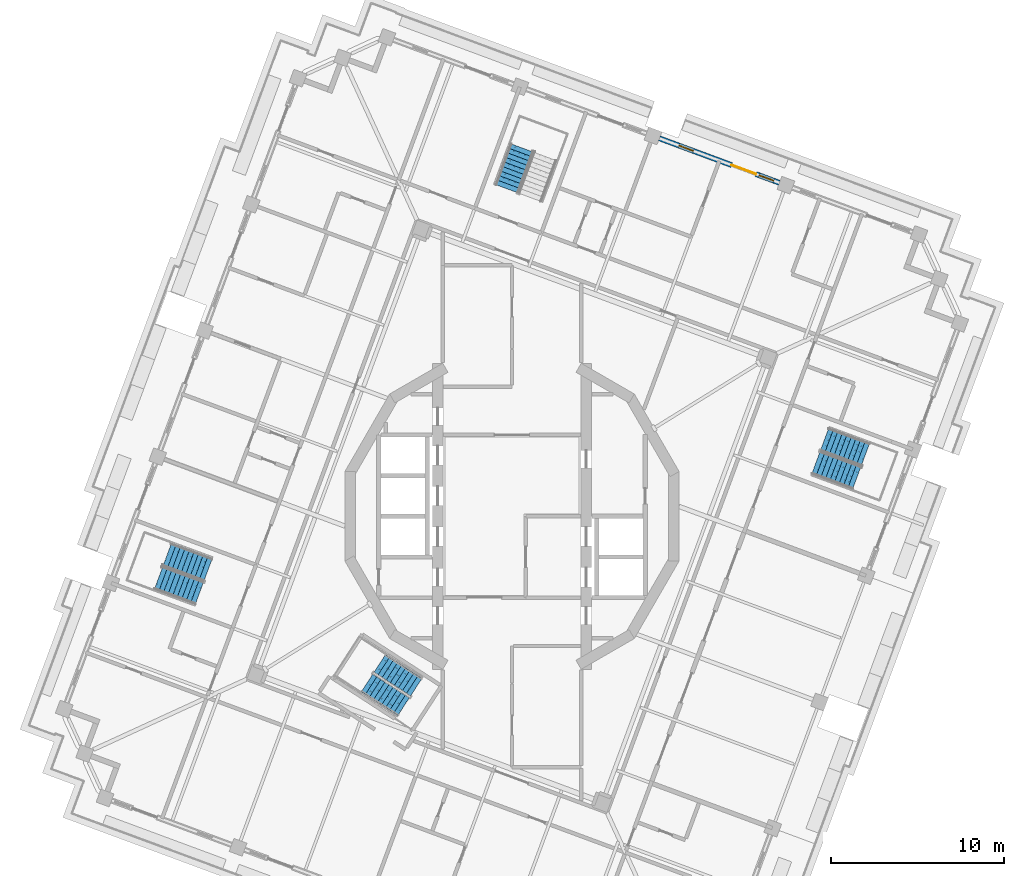
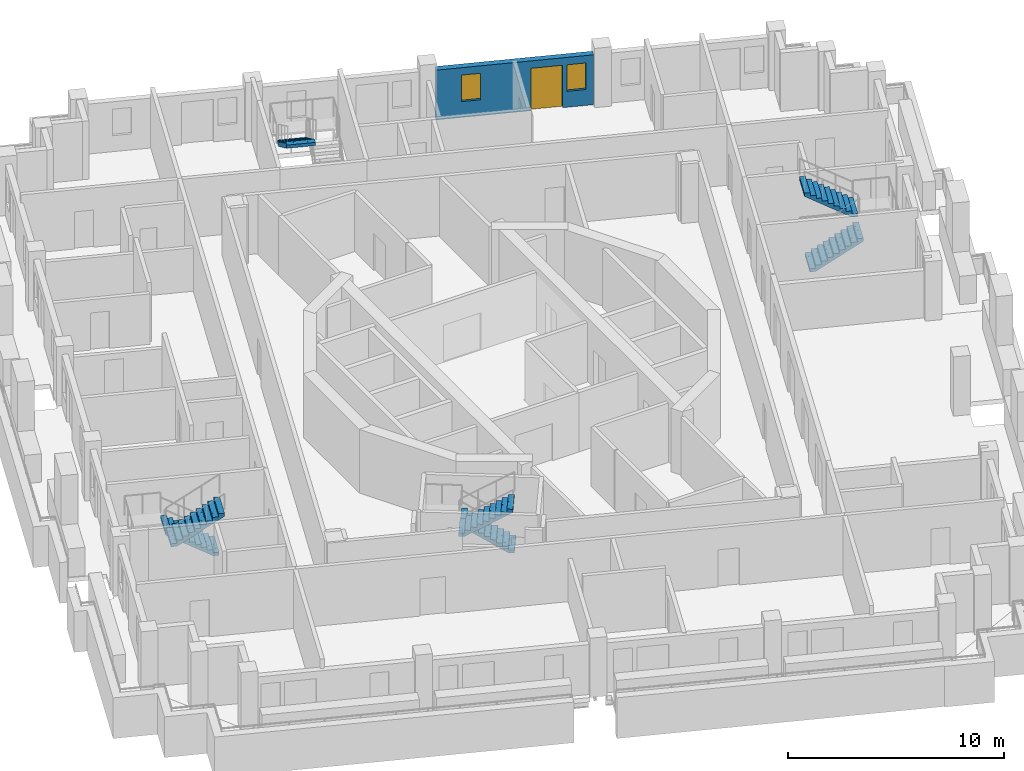
# One storey, part 10 of 19: 7 stair flights, 2 windows, 1 door, 1 wall, 3 openings, 4 elements without a shape of their own.
"""IFC4 building model written with IfcOpenShell, lengths in metres."""

import ifcopenshell
import ifcopenshell.guid

model = None  # the IFC model being written
_history = None  # IfcOwnerHistory: only IFC2X3 demands one
_inside = {}  # id of a spatial element -> (the spatial element, [elements in it])
_under = {}  # id of a project, library or spatial element -> (it, [spatial elements below it])
_declared = {}  # id of a project -> (the project, [libraries it declares])
_typed = {}  # id of a type object -> (the type object, [elements of that type])
_made_of = {}  # id of a material, layer set ... -> (it, [elements and type objects made of it])


def new_model(schema):
    """Start an empty IFC model of exactly this schema.

    Asked for "IFC4X3", IfcOpenShell would pick the latest addendum, in which some entities
    have other attributes; the version numbers below select the first issue.
    IFC2X3 requires an IfcOwnerHistory on every rooted entity: one is made here for all.
    """
    global model, _history
    if schema == "IFC4X3":
        model = ifcopenshell.file(schema_version=(4, 3, 0, 0))
    else:
        model = ifcopenshell.file(schema=schema)
    _inside.clear()
    _under.clear()
    _declared.clear()
    _typed.clear()
    _made_of.clear()
    _history = None
    if model.schema == "IFC2X3":
        org = make("IfcOrganization", Name="unknown")
        user = make(
            "IfcPersonAndOrganization",
            ThePerson=make("IfcPerson", FamilyName="unknown"),
            TheOrganization=org,
        )
        app = make(
            "IfcApplication",
            ApplicationDeveloper=org,
            Version="unknown",
            ApplicationFullName="unknown",
            ApplicationIdentifier="unknown",
        )
        _history = make(
            "IfcOwnerHistory",
            OwningUser=user,
            OwningApplication=app,
            ChangeAction="ADDED",
            CreationDate=0,
        )
    return model


def make(cls, **values):
    """One entity of the class cls with the attributes given. An attribute that is None is left unset."""
    return model.create_entity(
        cls, **{name: value for name, value in values.items() if value is not None}
    )


def rooted(cls, **values):
    """An entity with a GlobalId (a new one), such as an element, a storey or a relation."""
    return make(cls, GlobalId=ifcopenshell.guid.new(), OwnerHistory=_history, **values)


def si_unit(unit_type, name, prefix=None):
    """IfcSIUnit, for example si_unit("LENGTHUNIT", "METRE", prefix="MILLI")."""
    return make("IfcSIUnit", UnitType=unit_type, Prefix=prefix, Name=name)


def assignment(units):
    """IfcUnitAssignment: the units of a project."""
    return None if units is None else make("IfcUnitAssignment", Units=units)


def point(xyz):
    """IfcCartesianPoint."""
    return None if xyz is None else make("IfcCartesianPoint", Coordinates=xyz)


def direction(xyz):
    """IfcDirection."""
    return None if xyz is None else make("IfcDirection", DirectionRatios=xyz)


def frame(location, z_axis=None, x_axis=None):
    """IfcAxis2Placement3D, a coordinate frame: its origin and axes. An axis left out is left unset."""
    return make(
        "IfcAxis2Placement3D",
        Location=point(location),
        Axis=direction(z_axis),
        RefDirection=direction(x_axis),
    )


def frame_2d(location, x_axis=None):
    """IfcAxis2Placement2D, a coordinate frame in the plane: its origin and x axis."""
    return make(
        "IfcAxis2Placement2D", Location=point(location), RefDirection=direction(x_axis)
    )


def origin():
    """The frame at (0, 0, 0) with its axes left unset."""
    return frame((0.0, 0.0, 0.0))


def place(relative_to, where):
    """IfcLocalPlacement: puts the frame where relative to a parent placement (None: the world)."""
    return make(
        "IfcLocalPlacement", PlacementRelTo=relative_to, RelativePlacement=where
    )


def context(
    kind, dimensions, precision=None, world=None, true_north=None, identifier=None
):
    """IfcGeometricRepresentationContext, for example the 3D "Model" context."""
    return make(
        "IfcGeometricRepresentationContext",
        ContextIdentifier=identifier,
        ContextType=kind,
        CoordinateSpaceDimension=dimensions,
        Precision=precision,
        WorldCoordinateSystem=world,
        TrueNorth=true_north,
    )


def subcontext(parent, identifier, kind, view, scale=None):
    """IfcGeometricRepresentationSubContext, for example "Body" below "Model"."""
    return make(
        "IfcGeometricRepresentationSubContext",
        ContextIdentifier=identifier,
        ContextType=kind,
        ParentContext=parent,
        TargetScale=scale,
        TargetView=view,
    )


def project(units=None, contexts=None):
    """IfcProject with its units and contexts."""
    return rooted(
        "IfcProject",
        Name="project",
        RepresentationContexts=contexts,
        UnitsInContext=assignment(units),
    )


def spatial(cls, under=None, at=None, **own):
    """A site, building, storey or space (cls), placed at a placement, below another one or the project."""
    s = rooted(cls, ObjectPlacement=at, **own)
    if under is not None:
        _under.setdefault(under.id(), (under, []))[1].append(s)
    return s


def polyline(points):
    """IfcPolyline through the points."""
    return make("IfcPolyline", Points=[point(p) for p in points])


def profile(cls, at=None, kind="AREA", **sizes):
    """A parametric profile (cls). Its sizes go by their IFC names, for example OverallWidth=200.0."""
    return make(cls, ProfileType=kind, Position=at, **sizes)


def rectangle(**sizes):
    """IfcRectangleProfileDef."""
    return profile("IfcRectangleProfileDef", **sizes)


def outline(outer, holes=None, kind="AREA"):
    """IfcArbitraryClosedProfileDef: a profile drawn as a closed curve; with holes, ...WithVoids."""
    if holes is None:
        return make("IfcArbitraryClosedProfileDef", ProfileType=kind, OuterCurve=outer)
    return make(
        "IfcArbitraryProfileDefWithVoids",
        ProfileType=kind,
        OuterCurve=outer,
        InnerCurves=holes,
    )


def extrude(swept, where, along, depth):
    """IfcExtrudedAreaSolid: the profile swept, set in the frame where, extruded along a direction by depth."""
    return make(
        "IfcExtrudedAreaSolid",
        SweptArea=swept,
        Position=where,
        ExtrudedDirection=direction(along),
        Depth=depth,
    )


def shape(context_of_items, identifier, shape_type, items):
    """IfcShapeRepresentation: the items that make up one representation, for example the "Body"."""
    return make(
        "IfcShapeRepresentation",
        ContextOfItems=context_of_items,
        RepresentationIdentifier=identifier,
        RepresentationType=shape_type,
        Items=items,
    )


def material(Name=None, Category=None):
    """IfcMaterial."""
    return make("IfcMaterial", Name=Name, Category=Category)


def layer(
    of_material, thickness, ventilated=None, Name=None, Category=None, Priority=None
):
    """IfcMaterialLayer: one layer of a wall or slab, of a material (None: an air gap)."""
    return make(
        "IfcMaterialLayer",
        Material=of_material,
        LayerThickness=thickness,
        IsVentilated=ventilated,
        Name=Name,
        Category=Category,
        Priority=Priority,
    )


def layer_set(layers, Name=None):
    """IfcMaterialLayerSet."""
    return make("IfcMaterialLayerSet", MaterialLayers=layers, LayerSetName=Name)


def made_of(thing, what):
    """Note that an element or type object is made of a material, layer set ...; save() writes the relation."""
    if what is not None:
        _made_of.setdefault(what.id(), (what, []))[1].append(thing)
    return thing


def type_object(cls, material=None, **own):
    """A type object (cls), such as IfcWallType, which elements share."""
    return made_of(rooted(cls, **own), material)


def element(
    cls,
    number,
    at=None,
    inside=None,
    cuts=None,
    type_object=None,
    material=None,
    context=None,
    identifier="Body",
    shape_type=None,
    held_by="IfcProductDefinitionShape",
    body=None,
    shapes=None,
    **own,
):
    """One element of the class cls, such as IfcWall. Its Tag is "e" and its number.

    at: its placement. inside: the storey or other place that contains it. cuts: it is an
    opening in that element (IfcRelVoidsElement). A single representation is given by context,
    identifier, shape_type and body (its items); several are given by shapes. held_by: the class
    of the entity that holds the representations. save() writes the other relations.
    """
    e = rooted(cls, Tag="e%d" % number, ObjectPlacement=at, **own)
    if body is not None:
        shapes = [shape(context, identifier, shape_type, body)]
    if shapes is not None:
        e.Representation = make(held_by, Representations=shapes)
    if inside is not None:
        _inside.setdefault(inside.id(), (inside, []))[1].append(e)
    if cuts is not None:
        rooted(
            "IfcRelVoidsElement", RelatingBuildingElement=cuts, RelatedOpeningElement=e
        )
    if type_object is not None:
        _typed.setdefault(type_object.id(), (type_object, []))[1].append(e)
    return made_of(e, material)


def fill(opening, filler):
    """IfcRelFillsElement: the door or window that sits in an opening."""
    return rooted(
        "IfcRelFillsElement",
        RelatingOpeningElement=opening,
        RelatedBuildingElement=filler,
    )


def aggregate(whole, parts):
    """IfcRelAggregates: a whole, such as a stair, and the parts it consists of."""
    return rooted("IfcRelAggregates", RelatingObject=whole, RelatedObjects=parts)


def save(model, path):
    """Write the relations noted so far, then the file.

    IfcRelAggregates (storeys below a building ...), IfcRelContainedInSpatialStructure (elements
    in a storey), IfcRelDefinesByType, IfcRelAssociatesMaterial and IfcRelDeclares: one each for
    every whole, place, type object, material and project.
    """
    for whole, parts in _under.values():
        aggregate(whole, parts)
    for where, things in _inside.values():
        rooted(
            "IfcRelContainedInSpatialStructure",
            RelatedElements=things,
            RelatingStructure=where,
        )
    for kind, things in _typed.values():
        rooted("IfcRelDefinesByType", RelatedObjects=things, RelatingType=kind)
    for what, things in _made_of.values():
        rooted("IfcRelAssociatesMaterial", RelatedObjects=things, RelatingMaterial=what)
    for by, libraries in _declared.values():
        rooted("IfcRelDeclares", RelatingContext=by, RelatedDefinitions=libraries)
    model.write(path)


model = new_model("IFC4")

# Units and contexts
model_context = context("Model", 3, precision=1e-05, world=origin(), true_north=direction((0.0, 1.0)))
body_context = subcontext(model_context, "Body", "Model", "MODEL_VIEW")
ifc_project = project(units=[si_unit("LENGTHUNIT", "METRE"), si_unit("AREAUNIT", "SQUARE_METRE"), si_unit("VOLUMEUNIT", "CUBIC_METRE"), si_unit("PLANEANGLEUNIT", "RADIAN"), si_unit("MASSUNIT", "GRAM", prefix="KILO")], contexts=[model_context])

# Site, building, storey
site_placement = place(None, origin())
site = spatial("IfcSite", under=ifc_project, at=site_placement, CompositionType="ELEMENT")
building_placement = place(site_placement, origin())
building = spatial("IfcBuilding", under=site, at=building_placement, Name="Cantera Rosa Tower", CompositionType="ELEMENT")
storey_placement = place(building_placement, frame((0.0, 0.0, 327.699951171875)))
storey = spatial("IfcBuildingStorey", under=building, at=storey_placement, Name="L73", CompositionType="ELEMENT", Elevation=327.699951171875)

# Wall, openings, windows, door
ifc_material_1 = material(Name="Hollow clay masonry with cantera stone cladding", Category="masonry")
ifc_layer = layer(ifc_material_1, 0.300048828125)
ifc_layer_set = layer_set([ifc_layer], Name="EW-LOGGIA 300 H2820")
wall_type = type_object("IfcWallType", Name="EW-LOGGIA 300 H2820", PredefinedType="SOLIDWALL", material=ifc_layer_set)
wall_placement = place(storey_placement, frame((15.46240234375, 19.2783203125, 0.0), z_axis=(0.0, 0.0, 1.0), x_axis=(-0.937680690562, 0.34749808999, 0.0)))
wall = element("IfcWall", 1, at=wall_placement, inside=storey, type_object=wall_type, Name="EN-L73-W02", PredefinedType="SOLIDWALL", context=body_context, shape_type="SweptSolid", body=[
    extrude(rectangle(XDim=7.400146484375, YDim=0.300048828125, at=frame_2d((3.7001953125, 0.0))), origin(), (0.0, 0.0, 1.0), 2.820068359375),
])
opening_1_placement = place(wall_placement, frame((0.35009765625, 0.0, 0.89990234375)))
opening_1 = element("IfcOpeningElement", 2, at=opening_1_placement, cuts=wall, Name="Opening L73-W04", PredefinedType="OPENING", context=body_context, shape_type="SweptSolid", body=[
    extrude(rectangle(XDim=0.89990234375, YDim=1.5, at=frame_2d((0.449951171875, 0.75))), frame((0.0, 0.159912109375, 0.0), z_axis=(0.0, -1.0, 0.0), x_axis=(1.0, 0.0, 0.0)), (0.0, 0.0, 1.0), 0.320068359375),
])
opening_2_placement = place(wall_placement, frame((1.449951171875, 0.0, 0.0)))
opening_2 = element("IfcOpeningElement", 3, at=opening_2_placement, cuts=wall, Name="Opening L73-TD05", PredefinedType="OPENING", context=body_context, shape_type="SweptSolid", body=[
    extrude(rectangle(XDim=1.5, YDim=2.39990234375, at=frame_2d((0.75, 1.199951171875))), frame((0.0, 0.159912109375, 0.0), z_axis=(0.0, -1.0, 0.0), x_axis=(1.0, 0.0, 0.0)), (0.0, 0.0, 1.0), 0.320068359375),
])
opening_3_placement = place(wall_placement, frame((5.300048828125, 0.0, 0.89990234375)))
opening_3 = element("IfcOpeningElement", 4, at=opening_3_placement, cuts=wall, Name="Opening L73-W06", PredefinedType="OPENING", context=body_context, shape_type="SweptSolid", body=[
    extrude(rectangle(XDim=0.89990234375, YDim=1.5, at=frame_2d((0.449951171875, 0.75))), frame((0.0, 0.159912109375, 0.0), z_axis=(0.0, -1.0, 0.0), x_axis=(1.0, 0.0, 0.0)), (0.0, 0.0, 1.0), 0.320068359375),
])
ifc_material_2 = material(Name="Aluminium frame with clear glass", Category="aluminium")
window_type = type_object("IfcWindowType", Name="Residential window 900x1500", PartitioningType="SINGLE_PANEL", PredefinedType="WINDOW", material=ifc_material_2)
window_1_placement = place(opening_1_placement, origin())
window_1 = element("IfcWindow", 5, at=window_1_placement, inside=storey, type_object=window_type, Name="WINDOW L73-W04", OverallHeight=1.5, OverallWidth=0.89990234375, PartitioningType="SINGLE_PANEL", PredefinedType="WINDOW", context=body_context, shape_type="SweptSolid", body=[
    extrude(rectangle(XDim=0.89990234375, YDim=1.5, at=frame_2d((0.449951171875, 0.75))), frame((0.0, 0.030029296875, 0.0), z_axis=(0.0, -1.0, 0.0), x_axis=(1.0, 0.0, 0.0)), (0.0, 0.0, 1.0), 0.06005859375),
])
fill(opening_1, window_1)
window_2_placement = place(opening_3_placement, origin())
window_2 = element("IfcWindow", 6, at=window_2_placement, inside=storey, type_object=window_type, Name="WINDOW L73-W06", OverallHeight=1.5, OverallWidth=0.89990234375, PartitioningType="SINGLE_PANEL", PredefinedType="WINDOW", context=body_context, shape_type="SweptSolid", body=[
    extrude(rectangle(XDim=0.89990234375, YDim=1.5, at=frame_2d((0.449951171875, 0.75))), frame((0.0, 0.030029296875, 0.0), z_axis=(0.0, -1.0, 0.0), x_axis=(1.0, 0.0, 0.0)), (0.0, 0.0, 1.0), 0.06005859375),
])
fill(opening_3, window_2)
ifc_material_3 = material(Name="Aluminium frame with clear glass", Category="aluminium")
door_type = type_object("IfcDoorType", Name="TD-R 1500x2400", OperationType="NOTDEFINED", PredefinedType="DOOR", material=ifc_material_3)
door_placement = place(opening_2_placement, origin())
door = element("IfcDoor", 7, at=door_placement, inside=storey, type_object=door_type, Name="LOGGIA DOOR L73-TD05", OperationType="SLIDING_TO_LEFT", OverallHeight=2.39990234375, OverallWidth=1.5, PredefinedType="DOOR", context=body_context, shape_type="SweptSolid", body=[
    extrude(rectangle(XDim=1.5, YDim=2.39990234375, at=frame_2d((0.75, 1.199951171875))), frame((0.0, 0.02490234375, 0.0), z_axis=(0.0, -1.0, 0.0), x_axis=(1.0, 0.0, 0.0)), (0.0, 0.0, 1.0), 0.050048828125),
])
fill(opening_2, door)

# Stair, stair flights
ifc_material_4 = material(Name="Concrete C35/45", Category="concrete")
stair_type_1 = type_object("IfcStairType", Name="EXIT STAIR 1200 DOGLEG", PredefinedType="HALF_TURN_STAIR", material=ifc_material_4)
stair_1_placement = place(storey_placement, origin())
stair_1 = element("IfcStair", 8, at=stair_1_placement, inside=storey, type_object=stair_type_1, Name="L73 ST-64", PredefinedType="HALF_TURN_STAIR")
ifc_material_5 = material(Name="Concrete C35/45", Category="concrete")
stair_flight_type_1 = type_object("IfcStairFlightType", Name="STAIR FLIGHT 1200 R20x180", PredefinedType="STRAIGHT", material=ifc_material_5)
stair_flight_1_placement = place(storey_placement, frame((-5.532470703125, -9.878173828125, 0.0), z_axis=(0.0, 0.0, 1.0), x_axis=(-0.838670567945, 0.544639035015, 0.0)))
stair_flight_1 = element("IfcStairFlight", 9, at=stair_flight_1_placement, type_object=stair_flight_type_1, Name="ST-64 flight 1", NumberOfRisers=10, NumberOfTreads=9, PredefinedType="STRAIGHT", RiserHeight=0.18, TreadLength=0.28, context=body_context, shape_type="SweptSolid", body=[
    extrude(outline(polyline([(0.0, 0.0), (0.0, 0.179931640625), (0.280029296875, 0.179931640625), (0.280029296875, 0.360107421875), (0.56005859375, 0.360107421875), (0.56005859375, 0.5400390625), (0.840087890625, 0.5400390625), (0.840087890625, 0.719970703125), (1.1201171875, 0.719970703125), (1.1201171875, 0.89990234375), (1.39990234375, 0.89990234375), (1.39990234375, 1.080078125), (1.679931640625, 1.080078125), (1.679931640625, 1.260009765625), (1.9599609375, 1.260009765625), (1.9599609375, 1.43994140625), (2.239990234375, 1.43994140625), (2.239990234375, 1.6201171875), (2.52001953125, 1.6201171875), (2.52001953125, 1.800048828125), (2.52001953125, 1.44189453125), (0.277099609375, 0.0), (0.0, 0.0)])), frame((0.0, 0.60009765625, 0.0), z_axis=(0.0, -1.0, 0.0), x_axis=(1.0, 0.0, 0.0)), (0.0, 0.0, 1.0), 0.298583984375),
    extrude(outline(polyline([(0.0, 0.0), (0.0, 0.179931640625), (0.280029296875, 0.179931640625), (0.280029296875, 0.360107421875), (0.56005859375, 0.360107421875), (0.56005859375, 0.5400390625), (0.840087890625, 0.5400390625), (0.840087890625, 0.719970703125), (1.1201171875, 0.719970703125), (1.1201171875, 0.89990234375), (1.39990234375, 0.89990234375), (1.39990234375, 1.080078125), (1.679931640625, 1.080078125), (1.679931640625, 1.260009765625), (1.9599609375, 1.260009765625), (1.9599609375, 1.43994140625), (2.239990234375, 1.43994140625), (2.239990234375, 1.6201171875), (2.52001953125, 1.6201171875), (2.52001953125, 1.800048828125), (2.52001953125, 1.44189453125), (0.277099609375, 0.0), (0.0, 0.0)])), frame((0.0, 0.29931640625, 0.0), z_axis=(0.0, -1.0, 0.0), x_axis=(1.0, 0.0, 0.0)), (0.0, 0.0, 1.0), 0.298583984375),
    extrude(outline(polyline([(0.0, 0.0), (0.0, 0.179931640625), (0.280029296875, 0.179931640625), (0.280029296875, 0.360107421875), (0.56005859375, 0.360107421875), (0.56005859375, 0.5400390625), (0.840087890625, 0.5400390625), (0.840087890625, 0.719970703125), (1.1201171875, 0.719970703125), (1.1201171875, 0.89990234375), (1.39990234375, 0.89990234375), (1.39990234375, 1.080078125), (1.679931640625, 1.080078125), (1.679931640625, 1.260009765625), (1.9599609375, 1.260009765625), (1.9599609375, 1.43994140625), (2.239990234375, 1.43994140625), (2.239990234375, 1.6201171875), (2.52001953125, 1.6201171875), (2.52001953125, 1.800048828125), (2.52001953125, 1.44189453125), (0.277099609375, 0.0), (0.0, 0.0)])), frame((0.0, -0.0009765625, 0.0), z_axis=(0.0, -1.0, 0.0), x_axis=(1.0, 0.0, 0.0)), (0.0, 0.0, 1.0), 0.298583984375),
    extrude(outline(polyline([(0.0, 0.0), (0.0, 0.179931640625), (0.280029296875, 0.179931640625), (0.280029296875, 0.360107421875), (0.56005859375, 0.360107421875), (0.56005859375, 0.5400390625), (0.840087890625, 0.5400390625), (0.840087890625, 0.719970703125), (1.1201171875, 0.719970703125), (1.1201171875, 0.89990234375), (1.39990234375, 0.89990234375), (1.39990234375, 1.080078125), (1.679931640625, 1.080078125), (1.679931640625, 1.260009765625), (1.9599609375, 1.260009765625), (1.9599609375, 1.43994140625), (2.239990234375, 1.43994140625), (2.239990234375, 1.6201171875), (2.52001953125, 1.6201171875), (2.52001953125, 1.800048828125), (2.52001953125, 1.44189453125), (0.277099609375, 0.0), (0.0, 0.0)])), frame((0.0, -0.3017578125, 0.0), z_axis=(0.0, -1.0, 0.0), x_axis=(1.0, 0.0, 0.0)), (0.0, 0.0, 1.0), 0.298583984375),
])
stair_flight_2_placement = place(storey_placement, frame((-8.381103515625, -9.6376953125, 1.800048828125), z_axis=(0.0, 0.0, 1.0), x_axis=(0.838670567945, -0.544639035015, 0.0)))
stair_flight_2 = element("IfcStairFlight", 10, at=stair_flight_2_placement, type_object=stair_flight_type_1, Name="ST-64 flight 2", NumberOfRisers=10, NumberOfTreads=9, PredefinedType="STRAIGHT", RiserHeight=0.18, TreadLength=0.28, context=body_context, shape_type="SweptSolid", body=[
    extrude(outline(polyline([(0.0, 0.0), (0.0, 0.179931640625), (0.280029296875, 0.179931640625), (0.280029296875, 0.360107421875), (0.56005859375, 0.360107421875), (0.56005859375, 0.5400390625), (0.840087890625, 0.5400390625), (0.840087890625, 0.719970703125), (1.1201171875, 0.719970703125), (1.1201171875, 0.89990234375), (1.39990234375, 0.89990234375), (1.39990234375, 1.080078125), (1.679931640625, 1.080078125), (1.679931640625, 1.260009765625), (1.9599609375, 1.260009765625), (1.9599609375, 1.43994140625), (2.239990234375, 1.43994140625), (2.239990234375, 1.6201171875), (2.52001953125, 1.6201171875), (2.52001953125, 1.800048828125), (2.52001953125, 1.44189453125), (0.277099609375, 0.0), (0.0, 0.0)])), frame((0.0, 0.60009765625, 0.0), z_axis=(0.0, -1.0, 0.0), x_axis=(1.0, 0.0, 0.0)), (0.0, 0.0, 1.0), 0.298583984375),
    extrude(outline(polyline([(0.0, 0.0), (0.0, 0.179931640625), (0.280029296875, 0.179931640625), (0.280029296875, 0.360107421875), (0.56005859375, 0.360107421875), (0.56005859375, 0.5400390625), (0.840087890625, 0.5400390625), (0.840087890625, 0.719970703125), (1.1201171875, 0.719970703125), (1.1201171875, 0.89990234375), (1.39990234375, 0.89990234375), (1.39990234375, 1.080078125), (1.679931640625, 1.080078125), (1.679931640625, 1.260009765625), (1.9599609375, 1.260009765625), (1.9599609375, 1.43994140625), (2.239990234375, 1.43994140625), (2.239990234375, 1.6201171875), (2.52001953125, 1.6201171875), (2.52001953125, 1.800048828125), (2.52001953125, 1.44189453125), (0.277099609375, 0.0), (0.0, 0.0)])), frame((0.0, 0.29931640625, 0.0), z_axis=(0.0, -1.0, 0.0), x_axis=(1.0, 0.0, 0.0)), (0.0, 0.0, 1.0), 0.298583984375),
    extrude(outline(polyline([(0.0, 0.0), (0.0, 0.179931640625), (0.280029296875, 0.179931640625), (0.280029296875, 0.360107421875), (0.56005859375, 0.360107421875), (0.56005859375, 0.5400390625), (0.840087890625, 0.5400390625), (0.840087890625, 0.719970703125), (1.1201171875, 0.719970703125), (1.1201171875, 0.89990234375), (1.39990234375, 0.89990234375), (1.39990234375, 1.080078125), (1.679931640625, 1.080078125), (1.679931640625, 1.260009765625), (1.9599609375, 1.260009765625), (1.9599609375, 1.43994140625), (2.239990234375, 1.43994140625), (2.239990234375, 1.6201171875), (2.52001953125, 1.6201171875), (2.52001953125, 1.800048828125), (2.52001953125, 1.44189453125), (0.277099609375, 0.0), (0.0, 0.0)])), frame((0.0, -0.0009765625, 0.0), z_axis=(0.0, -1.0, 0.0), x_axis=(1.0, 0.0, 0.0)), (0.0, 0.0, 1.0), 0.298583984375),
    extrude(outline(polyline([(0.0, 0.0), (0.0, 0.179931640625), (0.280029296875, 0.179931640625), (0.280029296875, 0.360107421875), (0.56005859375, 0.360107421875), (0.56005859375, 0.5400390625), (0.840087890625, 0.5400390625), (0.840087890625, 0.719970703125), (1.1201171875, 0.719970703125), (1.1201171875, 0.89990234375), (1.39990234375, 0.89990234375), (1.39990234375, 1.080078125), (1.679931640625, 1.080078125), (1.679931640625, 1.260009765625), (1.9599609375, 1.260009765625), (1.9599609375, 1.43994140625), (2.239990234375, 1.43994140625), (2.239990234375, 1.6201171875), (2.52001953125, 1.6201171875), (2.52001953125, 1.800048828125), (2.52001953125, 1.44189453125), (0.277099609375, 0.0), (0.0, 0.0)])), frame((0.0, -0.3017578125, 0.0), z_axis=(0.0, -1.0, 0.0), x_axis=(1.0, 0.0, 0.0)), (0.0, 0.0, 1.0), 0.298583984375),
])
aggregate(stair_1, [stair_flight_1, stair_flight_2])

ifc_material_6 = material(Name="Concrete C35/45", Category="concrete")
stair_type_2 = type_object("IfcStairType", Name="EXIT STAIR 1350 DOGLEG", PredefinedType="HALF_TURN_STAIR", material=ifc_material_6)
stair_2_placement = place(storey_placement, origin())
stair_2 = element("IfcStair", 11, at=stair_2_placement, inside=storey, type_object=stair_type_2, Name="L73 ST-61", PredefinedType="HALF_TURN_STAIR")
ifc_material_7 = material(Name="Concrete C35/45", Category="concrete")
stair_flight_type_2 = type_object("IfcStairFlightType", Name="STAIR FLIGHT 1350 R20x180", PredefinedType="STRAIGHT", material=ifc_material_7)
stair_flight_3_placement = place(storey_placement, frame((17.55908203125, 3.064453125, 0.0), z_axis=(0.0, 0.0, 1.0), x_axis=(0.937686938944, -0.347481229039, 0.0)))
stair_flight_3 = element("IfcStairFlight", 12, at=stair_flight_3_placement, type_object=stair_flight_type_2, Name="ST-61 flight 1", NumberOfRisers=10, NumberOfTreads=9, PredefinedType="STRAIGHT", RiserHeight=0.18, TreadLength=0.28, context=body_context, shape_type="SweptSolid", body=[
    extrude(outline(polyline([(0.0, 0.0), (0.0, 0.179931640625), (0.280029296875, 0.179931640625), (0.280029296875, 0.360107421875), (0.56005859375, 0.360107421875), (0.56005859375, 0.5400390625), (0.840087890625, 0.5400390625), (0.840087890625, 0.719970703125), (1.1201171875, 0.719970703125), (1.1201171875, 0.89990234375), (1.39990234375, 0.89990234375), (1.39990234375, 1.080078125), (1.679931640625, 1.080078125), (1.679931640625, 1.260009765625), (1.9599609375, 1.260009765625), (1.9599609375, 1.43994140625), (2.239990234375, 1.43994140625), (2.239990234375, 1.6201171875), (2.52001953125, 1.6201171875), (2.52001953125, 1.800048828125), (2.52001953125, 1.44189453125), (0.277099609375, 0.0), (0.0, 0.0)])), frame((0.0, 0.675048828125, 0.0), z_axis=(0.0, -1.0, 0.0), x_axis=(1.0, 0.0, 0.0)), (0.0, 0.0, 1.0), 0.3359375),
    extrude(outline(polyline([(0.0, 0.0), (0.0, 0.179931640625), (0.280029296875, 0.179931640625), (0.280029296875, 0.360107421875), (0.56005859375, 0.360107421875), (0.56005859375, 0.5400390625), (0.840087890625, 0.5400390625), (0.840087890625, 0.719970703125), (1.1201171875, 0.719970703125), (1.1201171875, 0.89990234375), (1.39990234375, 0.89990234375), (1.39990234375, 1.080078125), (1.679931640625, 1.080078125), (1.679931640625, 1.260009765625), (1.9599609375, 1.260009765625), (1.9599609375, 1.43994140625), (2.239990234375, 1.43994140625), (2.239990234375, 1.6201171875), (2.52001953125, 1.6201171875), (2.52001953125, 1.800048828125), (2.52001953125, 1.44189453125), (0.277099609375, 0.0), (0.0, 0.0)])), frame((0.0, 0.337158203125, 0.0), z_axis=(0.0, -1.0, 0.0), x_axis=(1.0, 0.0, 0.0)), (0.0, 0.0, 1.0), 0.3359375),
    extrude(outline(polyline([(0.0, 0.0), (0.0, 0.179931640625), (0.280029296875, 0.179931640625), (0.280029296875, 0.360107421875), (0.56005859375, 0.360107421875), (0.56005859375, 0.5400390625), (0.840087890625, 0.5400390625), (0.840087890625, 0.719970703125), (1.1201171875, 0.719970703125), (1.1201171875, 0.89990234375), (1.39990234375, 0.89990234375), (1.39990234375, 1.080078125), (1.679931640625, 1.080078125), (1.679931640625, 1.260009765625), (1.9599609375, 1.260009765625), (1.9599609375, 1.43994140625), (2.239990234375, 1.43994140625), (2.239990234375, 1.6201171875), (2.52001953125, 1.6201171875), (2.52001953125, 1.800048828125), (2.52001953125, 1.44189453125), (0.277099609375, 0.0), (0.0, 0.0)])), frame((0.0, -0.000732421875, 0.0), z_axis=(0.0, -1.0, 0.0), x_axis=(1.0, 0.0, 0.0)), (0.0, 0.0, 1.0), 0.3359375),
    extrude(outline(polyline([(0.0, 0.0), (0.0, 0.179931640625), (0.280029296875, 0.179931640625), (0.280029296875, 0.360107421875), (0.56005859375, 0.360107421875), (0.56005859375, 0.5400390625), (0.840087890625, 0.5400390625), (0.840087890625, 0.719970703125), (1.1201171875, 0.719970703125), (1.1201171875, 0.89990234375), (1.39990234375, 0.89990234375), (1.39990234375, 1.080078125), (1.679931640625, 1.080078125), (1.679931640625, 1.260009765625), (1.9599609375, 1.260009765625), (1.9599609375, 1.43994140625), (2.239990234375, 1.43994140625), (2.239990234375, 1.6201171875), (2.52001953125, 1.6201171875), (2.52001953125, 1.800048828125), (2.52001953125, 1.44189453125), (0.277099609375, 0.0), (0.0, 0.0)])), frame((0.0, -0.338623046875, 0.0), z_axis=(0.0, -1.0, 0.0), x_axis=(1.0, 0.0, 0.0)), (0.0, 0.0, 1.0), 0.3359375),
])
stair_flight_4_placement = place(storey_placement, frame((20.443115234375, 3.595458984375, 1.800048828125), z_axis=(0.0, 0.0, 1.0), x_axis=(-0.937686938944, 0.347481229039, 0.0)))
stair_flight_4 = element("IfcStairFlight", 13, at=stair_flight_4_placement, type_object=stair_flight_type_2, Name="ST-61 flight 2", NumberOfRisers=10, NumberOfTreads=9, PredefinedType="STRAIGHT", RiserHeight=0.18, TreadLength=0.28, context=body_context, shape_type="SweptSolid", body=[
    extrude(outline(polyline([(0.0, 0.0), (0.0, 0.179931640625), (0.280029296875, 0.179931640625), (0.280029296875, 0.360107421875), (0.56005859375, 0.360107421875), (0.56005859375, 0.5400390625), (0.840087890625, 0.5400390625), (0.840087890625, 0.719970703125), (1.1201171875, 0.719970703125), (1.1201171875, 0.89990234375), (1.39990234375, 0.89990234375), (1.39990234375, 1.080078125), (1.679931640625, 1.080078125), (1.679931640625, 1.260009765625), (1.9599609375, 1.260009765625), (1.9599609375, 1.43994140625), (2.239990234375, 1.43994140625), (2.239990234375, 1.6201171875), (2.52001953125, 1.6201171875), (2.52001953125, 1.800048828125), (2.52001953125, 1.44189453125), (0.277099609375, 0.0), (0.0, 0.0)])), frame((0.0, 0.675048828125, 0.0), z_axis=(0.0, -1.0, 0.0), x_axis=(1.0, 0.0, 0.0)), (0.0, 0.0, 1.0), 0.3359375),
    extrude(outline(polyline([(0.0, 0.0), (0.0, 0.179931640625), (0.280029296875, 0.179931640625), (0.280029296875, 0.360107421875), (0.56005859375, 0.360107421875), (0.56005859375, 0.5400390625), (0.840087890625, 0.5400390625), (0.840087890625, 0.719970703125), (1.1201171875, 0.719970703125), (1.1201171875, 0.89990234375), (1.39990234375, 0.89990234375), (1.39990234375, 1.080078125), (1.679931640625, 1.080078125), (1.679931640625, 1.260009765625), (1.9599609375, 1.260009765625), (1.9599609375, 1.43994140625), (2.239990234375, 1.43994140625), (2.239990234375, 1.6201171875), (2.52001953125, 1.6201171875), (2.52001953125, 1.800048828125), (2.52001953125, 1.44189453125), (0.277099609375, 0.0), (0.0, 0.0)])), frame((0.0, 0.337158203125, 0.0), z_axis=(0.0, -1.0, 0.0), x_axis=(1.0, 0.0, 0.0)), (0.0, 0.0, 1.0), 0.3359375),
    extrude(outline(polyline([(0.0, 0.0), (0.0, 0.179931640625), (0.280029296875, 0.179931640625), (0.280029296875, 0.360107421875), (0.56005859375, 0.360107421875), (0.56005859375, 0.5400390625), (0.840087890625, 0.5400390625), (0.840087890625, 0.719970703125), (1.1201171875, 0.719970703125), (1.1201171875, 0.89990234375), (1.39990234375, 0.89990234375), (1.39990234375, 1.080078125), (1.679931640625, 1.080078125), (1.679931640625, 1.260009765625), (1.9599609375, 1.260009765625), (1.9599609375, 1.43994140625), (2.239990234375, 1.43994140625), (2.239990234375, 1.6201171875), (2.52001953125, 1.6201171875), (2.52001953125, 1.800048828125), (2.52001953125, 1.44189453125), (0.277099609375, 0.0), (0.0, 0.0)])), frame((0.0, -0.000732421875, 0.0), z_axis=(0.0, -1.0, 0.0), x_axis=(1.0, 0.0, 0.0)), (0.0, 0.0, 1.0), 0.3359375),
    extrude(outline(polyline([(0.0, 0.0), (0.0, 0.179931640625), (0.280029296875, 0.179931640625), (0.280029296875, 0.360107421875), (0.56005859375, 0.360107421875), (0.56005859375, 0.5400390625), (0.840087890625, 0.5400390625), (0.840087890625, 0.719970703125), (1.1201171875, 0.719970703125), (1.1201171875, 0.89990234375), (1.39990234375, 0.89990234375), (1.39990234375, 1.080078125), (1.679931640625, 1.080078125), (1.679931640625, 1.260009765625), (1.9599609375, 1.260009765625), (1.9599609375, 1.43994140625), (2.239990234375, 1.43994140625), (2.239990234375, 1.6201171875), (2.52001953125, 1.6201171875), (2.52001953125, 1.800048828125), (2.52001953125, 1.44189453125), (0.277099609375, 0.0), (0.0, 0.0)])), frame((0.0, -0.338623046875, 0.0), z_axis=(0.0, -1.0, 0.0), x_axis=(1.0, 0.0, 0.0)), (0.0, 0.0, 1.0), 0.3359375),
])
aggregate(stair_2, [stair_flight_3, stair_flight_4])

# Stair, stair flight
stair_3_placement = place(storey_placement, origin())
stair_3 = element("IfcStair", 14, at=stair_3_placement, inside=storey, type_object=stair_type_2, Name="L73 ST-62", PredefinedType="HALF_TURN_STAIR")
stair_flight_5_placement = place(storey_placement, frame((0.53857421875, 21.310791015625, 1.800048828125), z_axis=(0.0, 0.0, 1.0), x_axis=(-0.347481229039, -0.937686938944, 0.0)))
stair_flight_5 = element("IfcStairFlight", 15, at=stair_flight_5_placement, type_object=stair_flight_type_2, Name="ST-62 flight 2", NumberOfRisers=10, NumberOfTreads=9, PredefinedType="STRAIGHT", RiserHeight=0.18, TreadLength=0.28, context=body_context, shape_type="SweptSolid", body=[
    extrude(outline(polyline([(0.0, 0.0), (0.0, 0.179931640625), (0.280029296875, 0.179931640625), (0.280029296875, 0.360107421875), (0.56005859375, 0.360107421875), (0.56005859375, 0.5400390625), (0.840087890625, 0.5400390625), (0.840087890625, 0.719970703125), (1.1201171875, 0.719970703125), (1.1201171875, 0.89990234375), (1.39990234375, 0.89990234375), (1.39990234375, 1.080078125), (1.679931640625, 1.080078125), (1.679931640625, 1.260009765625), (1.9599609375, 1.260009765625), (1.9599609375, 1.43994140625), (2.239990234375, 1.43994140625), (2.239990234375, 1.6201171875), (2.52001953125, 1.6201171875), (2.52001953125, 1.800048828125), (2.52001953125, 1.44189453125), (0.277099609375, 0.0), (0.0, 0.0)])), frame((0.0, 0.675048828125, 0.0), z_axis=(0.0, -1.0, 0.0), x_axis=(1.0, 0.0, 0.0)), (0.0, 0.0, 1.0), 0.3359375),
    extrude(outline(polyline([(0.0, 0.0), (0.0, 0.179931640625), (0.280029296875, 0.179931640625), (0.280029296875, 0.360107421875), (0.56005859375, 0.360107421875), (0.56005859375, 0.5400390625), (0.840087890625, 0.5400390625), (0.840087890625, 0.719970703125), (1.1201171875, 0.719970703125), (1.1201171875, 0.89990234375), (1.39990234375, 0.89990234375), (1.39990234375, 1.080078125), (1.679931640625, 1.080078125), (1.679931640625, 1.260009765625), (1.9599609375, 1.260009765625), (1.9599609375, 1.43994140625), (2.239990234375, 1.43994140625), (2.239990234375, 1.6201171875), (2.52001953125, 1.6201171875), (2.52001953125, 1.800048828125), (2.52001953125, 1.44189453125), (0.277099609375, 0.0), (0.0, 0.0)])), frame((0.0, 0.337158203125, 0.0), z_axis=(0.0, -1.0, 0.0), x_axis=(1.0, 0.0, 0.0)), (0.0, 0.0, 1.0), 0.3359375),
    extrude(outline(polyline([(0.0, 0.0), (0.0, 0.179931640625), (0.280029296875, 0.179931640625), (0.280029296875, 0.360107421875), (0.56005859375, 0.360107421875), (0.56005859375, 0.5400390625), (0.840087890625, 0.5400390625), (0.840087890625, 0.719970703125), (1.1201171875, 0.719970703125), (1.1201171875, 0.89990234375), (1.39990234375, 0.89990234375), (1.39990234375, 1.080078125), (1.679931640625, 1.080078125), (1.679931640625, 1.260009765625), (1.9599609375, 1.260009765625), (1.9599609375, 1.43994140625), (2.239990234375, 1.43994140625), (2.239990234375, 1.6201171875), (2.52001953125, 1.6201171875), (2.52001953125, 1.800048828125), (2.52001953125, 1.44189453125), (0.277099609375, 0.0), (0.0, 0.0)])), frame((0.0, -0.000732421875, 0.0), z_axis=(0.0, -1.0, 0.0), x_axis=(1.0, 0.0, 0.0)), (0.0, 0.0, 1.0), 0.3359375),
    extrude(outline(polyline([(0.0, 0.0), (0.0, 0.179931640625), (0.280029296875, 0.179931640625), (0.280029296875, 0.360107421875), (0.56005859375, 0.360107421875), (0.56005859375, 0.5400390625), (0.840087890625, 0.5400390625), (0.840087890625, 0.719970703125), (1.1201171875, 0.719970703125), (1.1201171875, 0.89990234375), (1.39990234375, 0.89990234375), (1.39990234375, 1.080078125), (1.679931640625, 1.080078125), (1.679931640625, 1.260009765625), (1.9599609375, 1.260009765625), (1.9599609375, 1.43994140625), (2.239990234375, 1.43994140625), (2.239990234375, 1.6201171875), (2.52001953125, 1.6201171875), (2.52001953125, 1.800048828125), (2.52001953125, 1.44189453125), (0.277099609375, 0.0), (0.0, 0.0)])), frame((0.0, -0.338623046875, 0.0), z_axis=(0.0, -1.0, 0.0), x_axis=(1.0, 0.0, 0.0)), (0.0, 0.0, 1.0), 0.3359375),
])
aggregate(stair_3, [stair_flight_5])

# Stair, stair flights
stair_4_placement = place(storey_placement, origin())
stair_4 = element("IfcStair", 16, at=stair_4_placement, inside=storey, type_object=stair_type_2, Name="L73 ST-63", PredefinedType="HALF_TURN_STAIR")
stair_flight_6_placement = place(storey_placement, frame((-17.55908203125, -3.064453125, 0.0), z_axis=(0.0, 0.0, 1.0), x_axis=(-0.937686938944, 0.347481229039, 0.0)))
stair_flight_6 = element("IfcStairFlight", 17, at=stair_flight_6_placement, type_object=stair_flight_type_2, Name="ST-63 flight 1", NumberOfRisers=10, NumberOfTreads=9, PredefinedType="STRAIGHT", RiserHeight=0.18, TreadLength=0.28, context=body_context, shape_type="SweptSolid", body=[
    extrude(outline(polyline([(0.0, 0.0), (0.0, 0.179931640625), (0.280029296875, 0.179931640625), (0.280029296875, 0.360107421875), (0.56005859375, 0.360107421875), (0.56005859375, 0.5400390625), (0.840087890625, 0.5400390625), (0.840087890625, 0.719970703125), (1.1201171875, 0.719970703125), (1.1201171875, 0.89990234375), (1.39990234375, 0.89990234375), (1.39990234375, 1.080078125), (1.679931640625, 1.080078125), (1.679931640625, 1.260009765625), (1.9599609375, 1.260009765625), (1.9599609375, 1.43994140625), (2.239990234375, 1.43994140625), (2.239990234375, 1.6201171875), (2.52001953125, 1.6201171875), (2.52001953125, 1.800048828125), (2.52001953125, 1.44189453125), (0.277099609375, 0.0), (0.0, 0.0)])), frame((0.0, 0.675048828125, 0.0), z_axis=(0.0, -1.0, 0.0), x_axis=(1.0, 0.0, 0.0)), (0.0, 0.0, 1.0), 0.3359375),
    extrude(outline(polyline([(0.0, 0.0), (0.0, 0.179931640625), (0.280029296875, 0.179931640625), (0.280029296875, 0.360107421875), (0.56005859375, 0.360107421875), (0.56005859375, 0.5400390625), (0.840087890625, 0.5400390625), (0.840087890625, 0.719970703125), (1.1201171875, 0.719970703125), (1.1201171875, 0.89990234375), (1.39990234375, 0.89990234375), (1.39990234375, 1.080078125), (1.679931640625, 1.080078125), (1.679931640625, 1.260009765625), (1.9599609375, 1.260009765625), (1.9599609375, 1.43994140625), (2.239990234375, 1.43994140625), (2.239990234375, 1.6201171875), (2.52001953125, 1.6201171875), (2.52001953125, 1.800048828125), (2.52001953125, 1.44189453125), (0.277099609375, 0.0), (0.0, 0.0)])), frame((0.0, 0.337158203125, 0.0), z_axis=(0.0, -1.0, 0.0), x_axis=(1.0, 0.0, 0.0)), (0.0, 0.0, 1.0), 0.3359375),
    extrude(outline(polyline([(0.0, 0.0), (0.0, 0.179931640625), (0.280029296875, 0.179931640625), (0.280029296875, 0.360107421875), (0.56005859375, 0.360107421875), (0.56005859375, 0.5400390625), (0.840087890625, 0.5400390625), (0.840087890625, 0.719970703125), (1.1201171875, 0.719970703125), (1.1201171875, 0.89990234375), (1.39990234375, 0.89990234375), (1.39990234375, 1.080078125), (1.679931640625, 1.080078125), (1.679931640625, 1.260009765625), (1.9599609375, 1.260009765625), (1.9599609375, 1.43994140625), (2.239990234375, 1.43994140625), (2.239990234375, 1.6201171875), (2.52001953125, 1.6201171875), (2.52001953125, 1.800048828125), (2.52001953125, 1.44189453125), (0.277099609375, 0.0), (0.0, 0.0)])), frame((0.0, -0.000732421875, 0.0), z_axis=(0.0, -1.0, 0.0), x_axis=(1.0, 0.0, 0.0)), (0.0, 0.0, 1.0), 0.3359375),
    extrude(outline(polyline([(0.0, 0.0), (0.0, 0.179931640625), (0.280029296875, 0.179931640625), (0.280029296875, 0.360107421875), (0.56005859375, 0.360107421875), (0.56005859375, 0.5400390625), (0.840087890625, 0.5400390625), (0.840087890625, 0.719970703125), (1.1201171875, 0.719970703125), (1.1201171875, 0.89990234375), (1.39990234375, 0.89990234375), (1.39990234375, 1.080078125), (1.679931640625, 1.080078125), (1.679931640625, 1.260009765625), (1.9599609375, 1.260009765625), (1.9599609375, 1.43994140625), (2.239990234375, 1.43994140625), (2.239990234375, 1.6201171875), (2.52001953125, 1.6201171875), (2.52001953125, 1.800048828125), (2.52001953125, 1.44189453125), (0.277099609375, 0.0), (0.0, 0.0)])), frame((0.0, -0.338623046875, 0.0), z_axis=(0.0, -1.0, 0.0), x_axis=(1.0, 0.0, 0.0)), (0.0, 0.0, 1.0), 0.3359375),
])
stair_flight_7_placement = place(storey_placement, frame((-20.443115234375, -3.595458984375, 1.800048828125), z_axis=(0.0, 0.0, 1.0), x_axis=(0.937686938944, -0.347481229039, 0.0)))
stair_flight_7 = element("IfcStairFlight", 18, at=stair_flight_7_placement, type_object=stair_flight_type_2, Name="ST-63 flight 2", NumberOfRisers=10, NumberOfTreads=9, PredefinedType="STRAIGHT", RiserHeight=0.18, TreadLength=0.28, context=body_context, shape_type="SweptSolid", body=[
    extrude(outline(polyline([(0.0, 0.0), (0.0, 0.179931640625), (0.280029296875, 0.179931640625), (0.280029296875, 0.360107421875), (0.56005859375, 0.360107421875), (0.56005859375, 0.5400390625), (0.840087890625, 0.5400390625), (0.840087890625, 0.719970703125), (1.1201171875, 0.719970703125), (1.1201171875, 0.89990234375), (1.39990234375, 0.89990234375), (1.39990234375, 1.080078125), (1.679931640625, 1.080078125), (1.679931640625, 1.260009765625), (1.9599609375, 1.260009765625), (1.9599609375, 1.43994140625), (2.239990234375, 1.43994140625), (2.239990234375, 1.6201171875), (2.52001953125, 1.6201171875), (2.52001953125, 1.800048828125), (2.52001953125, 1.44189453125), (0.277099609375, 0.0), (0.0, 0.0)])), frame((0.0, 0.675048828125, 0.0), z_axis=(0.0, -1.0, 0.0), x_axis=(1.0, 0.0, 0.0)), (0.0, 0.0, 1.0), 0.3359375),
    extrude(outline(polyline([(0.0, 0.0), (0.0, 0.179931640625), (0.280029296875, 0.179931640625), (0.280029296875, 0.360107421875), (0.56005859375, 0.360107421875), (0.56005859375, 0.5400390625), (0.840087890625, 0.5400390625), (0.840087890625, 0.719970703125), (1.1201171875, 0.719970703125), (1.1201171875, 0.89990234375), (1.39990234375, 0.89990234375), (1.39990234375, 1.080078125), (1.679931640625, 1.080078125), (1.679931640625, 1.260009765625), (1.9599609375, 1.260009765625), (1.9599609375, 1.43994140625), (2.239990234375, 1.43994140625), (2.239990234375, 1.6201171875), (2.52001953125, 1.6201171875), (2.52001953125, 1.800048828125), (2.52001953125, 1.44189453125), (0.277099609375, 0.0), (0.0, 0.0)])), frame((0.0, 0.337158203125, 0.0), z_axis=(0.0, -1.0, 0.0), x_axis=(1.0, 0.0, 0.0)), (0.0, 0.0, 1.0), 0.3359375),
    extrude(outline(polyline([(0.0, 0.0), (0.0, 0.179931640625), (0.280029296875, 0.179931640625), (0.280029296875, 0.360107421875), (0.56005859375, 0.360107421875), (0.56005859375, 0.5400390625), (0.840087890625, 0.5400390625), (0.840087890625, 0.719970703125), (1.1201171875, 0.719970703125), (1.1201171875, 0.89990234375), (1.39990234375, 0.89990234375), (1.39990234375, 1.080078125), (1.679931640625, 1.080078125), (1.679931640625, 1.260009765625), (1.9599609375, 1.260009765625), (1.9599609375, 1.43994140625), (2.239990234375, 1.43994140625), (2.239990234375, 1.6201171875), (2.52001953125, 1.6201171875), (2.52001953125, 1.800048828125), (2.52001953125, 1.44189453125), (0.277099609375, 0.0), (0.0, 0.0)])), frame((0.0, -0.000732421875, 0.0), z_axis=(0.0, -1.0, 0.0), x_axis=(1.0, 0.0, 0.0)), (0.0, 0.0, 1.0), 0.3359375),
    extrude(outline(polyline([(0.0, 0.0), (0.0, 0.179931640625), (0.280029296875, 0.179931640625), (0.280029296875, 0.360107421875), (0.56005859375, 0.360107421875), (0.56005859375, 0.5400390625), (0.840087890625, 0.5400390625), (0.840087890625, 0.719970703125), (1.1201171875, 0.719970703125), (1.1201171875, 0.89990234375), (1.39990234375, 0.89990234375), (1.39990234375, 1.080078125), (1.679931640625, 1.080078125), (1.679931640625, 1.260009765625), (1.9599609375, 1.260009765625), (1.9599609375, 1.43994140625), (2.239990234375, 1.43994140625), (2.239990234375, 1.6201171875), (2.52001953125, 1.6201171875), (2.52001953125, 1.800048828125), (2.52001953125, 1.44189453125), (0.277099609375, 0.0), (0.0, 0.0)])), frame((0.0, -0.338623046875, 0.0), z_axis=(0.0, -1.0, 0.0), x_axis=(1.0, 0.0, 0.0)), (0.0, 0.0, 1.0), 0.3359375),
])
aggregate(stair_4, [stair_flight_6, stair_flight_7])

save(model, "model.ifc")
